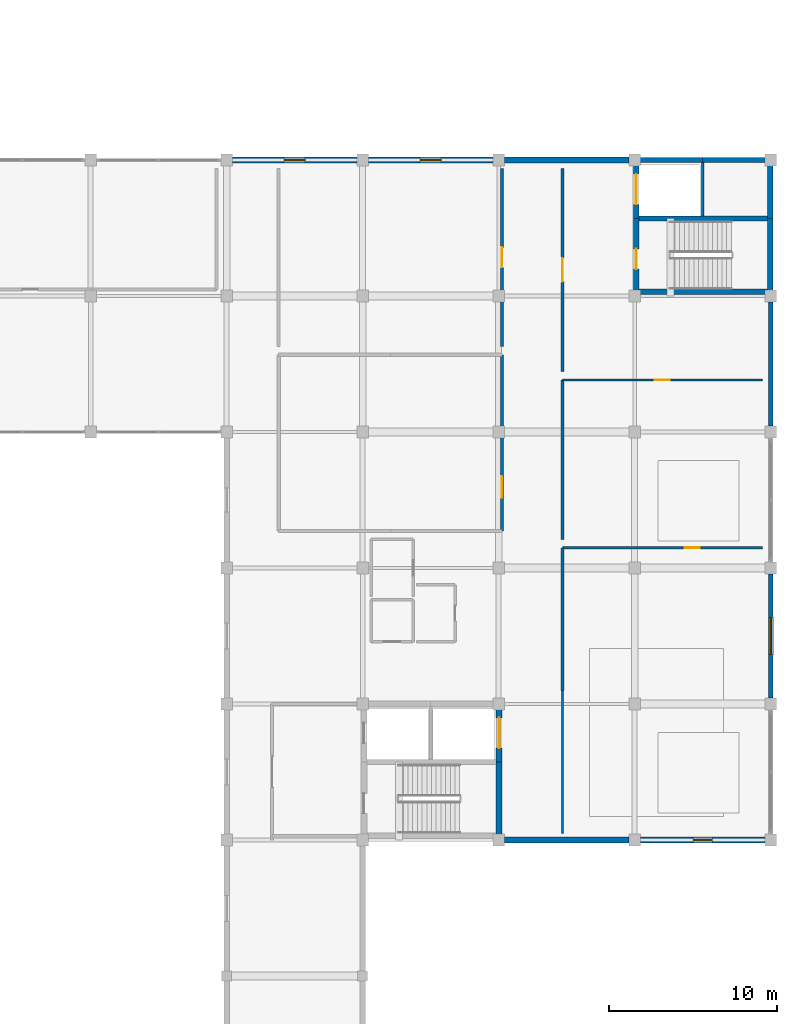
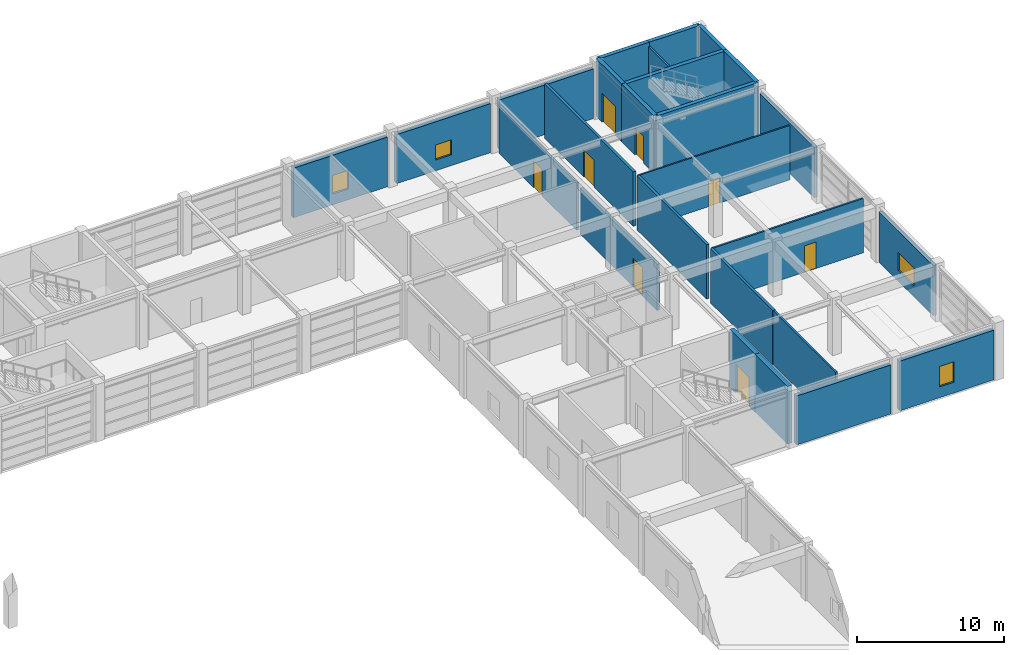
# One storey, part 47 of 58: 26 walls, 8 doors, 4 windows, 12 openings.
"""IFC4 building model written with IfcOpenShell, lengths in metres."""

from ifc_helpers import new_model, si_unit, direction, frame, frame_2d, origin, place, context, subcontext, project, spatial, rectangle, extrude, material, layer, layer_set, type_object, element, fill, save


model = new_model("IFC4")

# Units and contexts
model_context = context("Model", 3, precision=1e-05, world=origin(), true_north=direction((0.0, 1.0)))
body_context = subcontext(model_context, "Body", "Model", "MODEL_VIEW")
ifc_project = project(units=[si_unit("LENGTHUNIT", "METRE"), si_unit("AREAUNIT", "SQUARE_METRE"), si_unit("VOLUMEUNIT", "CUBIC_METRE"), si_unit("PLANEANGLEUNIT", "RADIAN"), si_unit("MASSUNIT", "GRAM", prefix="KILO")], contexts=[model_context])

# Site, building, storey
site_placement = place(None, origin())
site = spatial("IfcSite", under=ifc_project, at=site_placement, CompositionType="ELEMENT")
building_placement = place(site_placement, origin())
building = spatial("IfcBuilding", under=site, at=building_placement, Name="Parian Resonance Hall", CompositionType="ELEMENT")
storey_placement = place(building_placement, frame((0.0, 0.0, 10.199951171875)))
storey = spatial("IfcBuildingStorey", under=building, at=storey_placement, Name="L02", CompositionType="ELEMENT", Elevation=10.199951171875)

# Wall, opening, door
ifc_material_1 = material(Name="Concrete C40/50", Category="concrete")
ifc_layer_1 = layer(ifc_material_1, 0.31005859375)
ifc_layer_set_1 = layer_set([ifc_layer_1], Name="Concrete C40/50")
wall_type_1 = type_object("IfcWallType", Name="CW310", PredefinedType="SHEAR", material=ifc_layer_set_1)
wall_1_placement = place(storey_placement, frame((137.7900390625, 81.25, 0.0), z_axis=(0.0, 0.0, 1.0), x_axis=(0.0, 1.0, 0.0)))
wall_1 = element("IfcWall", 1, at=wall_1_placement, inside=storey, type_object=wall_type_1, Name="Core K6 stairwell west shear wall L02", PredefinedType="SHEAR", context=body_context, shape_type="SweptSolid", body=[
    extrude(rectangle(XDim=4.360107421875, YDim=0.31005859375, at=frame_2d((2.18017578125, 0.0))), origin(), (0.0, 0.0, 1.0), 4.800048828125),
])
opening_1_placement = place(wall_1_placement, frame((1.35009765625, 0.0, 0.0)))
opening_1 = element("IfcOpeningElement", 2, at=opening_1_placement, cuts=wall_1, Name="Opening FD-01", PredefinedType="OPENING", context=body_context, shape_type="SweptSolid", body=[
    extrude(rectangle(XDim=1.199951171875, YDim=2.25, at=frame_2d((0.60009765625, 1.125))), frame((0.0, 0.1650390625, 0.0), z_axis=(0.0, -1.0, 0.0), x_axis=(1.0, 0.0, 0.0)), (0.0, 0.0, 1.0), 0.330078125),
])
ifc_material_2 = material(Name="Fire-rated acoustic steel and narra timber door", Category="steel")
door_type_1 = type_object("IfcDoorType", Name="FD-01", OperationType="NOTDEFINED", PredefinedType="DOOR", material=ifc_material_2)
door_1_placement = place(opening_1_placement, origin())
door_1 = element("IfcDoor", 3, at=door_1_placement, inside=storey, type_object=door_type_1, Name="Exit stair ST-06 fire door L02", OperationType="SINGLE_SWING_RIGHT", OverallHeight=2.25, OverallWidth=1.199951171875, PredefinedType="DOOR", context=body_context, shape_type="SweptSolid", body=[
    extrude(rectangle(XDim=1.199951171875, YDim=2.25, at=frame_2d((0.60009765625, 1.125))), frame((0.0, 0.02490234375, 0.0), z_axis=(0.0, -1.0, 0.0), x_axis=(1.0, 0.0, 0.0)), (0.0, 0.0, 1.0), 0.050048828125),
])
fill(opening_1, door_1)

wall_2_placement = place(storey_placement, frame((137.7900390625, 85.610107421875, 0.0), z_axis=(0.0, 0.0, 1.0), x_axis=(0.0, 1.0, 0.0)))
wall_2 = element("IfcWall", 4, at=wall_2_placement, inside=storey, type_object=wall_type_1, Name="Core K6 lift shaft west shear wall L02", PredefinedType="SHEAR", context=body_context, shape_type="SweptSolid", body=[
    extrude(rectangle(XDim=3.489990234375, YDim=0.31005859375, at=frame_2d((1.7451171875, 0.0))), origin(), (0.0, 0.0, 1.0), 4.800048828125),
])
opening_2_placement = place(wall_2_placement, frame((0.844970703125, 0.0, 0.0)))
opening_2 = element("IfcOpeningElement", 5, at=opening_2_placement, cuts=wall_2, Name="Opening LD-02", PredefinedType="OPENING", context=body_context, shape_type="SweptSolid", body=[
    extrude(rectangle(XDim=1.800048828125, YDim=2.39990234375, at=frame_2d((0.89990234375, 1.199951171875))), frame((0.0, 0.1650390625, 0.0), z_axis=(0.0, -1.0, 0.0), x_axis=(1.0, 0.0, 0.0)), (0.0, 0.0, 1.0), 0.330078125),
])
ifc_material_3 = material(Name="Stainless steel and bronze elevator cab", Category="steel")
door_type_2 = type_object("IfcDoorType", Name="DOOR-LIFT-1800x2400", OperationType="SLIDING_TO_LEFT", PredefinedType="DOOR", material=ifc_material_3)
door_2_placement = place(opening_2_placement, origin())
door_2 = element("IfcDoor", 6, at=door_2_placement, inside=storey, type_object=door_type_2, Name="Lift LF-08 sliding landing door L02", OperationType="SLIDING_TO_LEFT", OverallHeight=2.39990234375, OverallWidth=1.800048828125, PredefinedType="DOOR", context=body_context, shape_type="SweptSolid", body=[
    extrude(rectangle(XDim=1.800048828125, YDim=2.39990234375, at=frame_2d((0.89990234375, 1.199951171875))), frame((0.0, 0.02490234375, 0.0), z_axis=(0.0, -1.0, 0.0), x_axis=(1.0, 0.0, 0.0)), (0.0, 0.0, 1.0), 0.050048828125),
])
fill(opening_2, door_2)

# Walls
wall_3_placement = place(storey_placement, frame((137.7900390625, 89.10009765625, 0.0), z_axis=(0.0, 0.0, 1.0), x_axis=(1.0, 0.0, 0.0)))
element("IfcWall", 7, at=wall_3_placement, inside=storey, type_object=wall_type_1, Name="Core K6 north-west shaft wall L02", PredefinedType="SHEAR", context=body_context, shape_type="SweptSolid", body=[
    extrude(rectangle(XDim=3.9599609375, YDim=0.31005859375, at=frame_2d((1.97998046875, 0.0))), origin(), (0.0, 0.0, 1.0), 4.800048828125),
])
wall_4_placement = place(storey_placement, frame((141.75, 89.10009765625, 0.0), z_axis=(0.0, 0.0, 1.0), x_axis=(1.0, 0.0, 0.0)))
element("IfcWall", 8, at=wall_4_placement, inside=storey, type_object=wall_type_1, Name="Core K6 north-east shaft wall L02", PredefinedType="SHEAR", context=body_context, shape_type="SweptSolid", body=[
    extrude(rectangle(XDim=4.02001953125, YDim=0.31005859375, at=frame_2d((2.010009765625, 0.0))), origin(), (0.0, 0.0, 1.0), 4.800048828125),
])
wall_5_placement = place(storey_placement, frame((145.77001953125, 89.10009765625, 0.0), z_axis=(0.0, 0.0, 1.0), x_axis=(0.0, -1.0, 0.0)))
element("IfcWall", 9, at=wall_5_placement, inside=storey, type_object=wall_type_1, Name="Core K6 east shaft wall L02", PredefinedType="SHEAR", context=body_context, shape_type="SweptSolid", body=[
    extrude(rectangle(XDim=3.489990234375, YDim=0.31005859375, at=frame_2d((1.7451171875, 0.0))), origin(), (0.0, 0.0, 1.0), 4.800048828125),
])
wall_6_placement = place(storey_placement, frame((145.77001953125, 85.610107421875, 0.0), z_axis=(0.0, 0.0, 1.0), x_axis=(0.0, -1.0, 0.0)))
element("IfcWall", 10, at=wall_6_placement, inside=storey, type_object=wall_type_1, Name="Core K6 stairwell east wall L02", PredefinedType="SHEAR", context=body_context, shape_type="SweptSolid", body=[
    extrude(rectangle(XDim=4.360107421875, YDim=0.31005859375, at=frame_2d((2.18017578125, 0.0))), origin(), (0.0, 0.0, 1.0), 4.800048828125),
])
for number, where, z_axis, x_axis, name in (
    (11, (145.77001953125, 81.25, 0.0), (0.0, 0.0, 1.0), (-1.0, 0.0, 0.0), "Core K6 stairwell south wall L02"),
    (12, (137.7900390625, 85.610107421875, 0.0), (0.0, 0.0, 1.0), (1.0, 0.0, 0.0), "Core K6 stair-lift divider wall L02"),
):
    element("IfcWall", number, at=place(storey_placement, frame(where, z_axis=z_axis, x_axis=x_axis)), inside=storey, type_object=wall_type_1, Name=name, PredefinedType="SHEAR", context=body_context, shape_type="SweptSolid", body=[
        extrude(rectangle(XDim=7.97998046875, YDim=0.31005859375, at=frame_2d((3.989990234375, 0.0))), origin(), (0.0, 0.0, 1.0), 4.800048828125),
    ])

# Wall, opening, door
ifc_material_4 = material(Name="Concrete C40/50", Category="concrete")
ifc_layer_2 = layer(ifc_material_4, 0.35009765625)
ifc_layer_set_2 = layer_set([ifc_layer_2], Name="Concrete C40/50")
wall_type_2 = type_object("IfcWallType", Name="CW350", PredefinedType="SHEAR", material=ifc_layer_set_2)
wall_7_placement = place(storey_placement, frame((129.6298828125, 56.699951171875, 0.0), z_axis=(0.0, 0.0, 1.0), x_axis=(0.0, -1.0, 0.0)))
wall_7 = element("IfcWall", 13, at=wall_7_placement, inside=storey, type_object=wall_type_2, Name="Core K2 east shaft wall L02", PredefinedType="SHEAR", context=body_context, shape_type="SweptSolid", body=[
    extrude(rectangle(XDim=3.449951171875, YDim=0.35009765625, at=frame_2d((1.72509765625, 0.0))), origin(), (0.0, 0.0, 1.0), 4.800048828125),
])
opening_3_placement = place(wall_7_placement, frame((0.824951171875, 0.0, 0.0)))
opening_3 = element("IfcOpeningElement", 14, at=opening_3_placement, cuts=wall_7, Name="Opening LD-02", PredefinedType="OPENING", context=body_context, shape_type="SweptSolid", body=[
    extrude(rectangle(XDim=1.800048828125, YDim=2.39990234375, at=frame_2d((0.89990234375, 1.199951171875))), frame((0.0, 0.18505859375, 0.0), z_axis=(0.0, -1.0, 0.0), x_axis=(1.0, 0.0, 0.0)), (0.0, 0.0, 1.0), 0.3701171875),
])
door_3_placement = place(opening_3_placement, origin())
door_3 = element("IfcDoor", 15, at=door_3_placement, inside=storey, type_object=door_type_2, Name="Lift LF-07 sliding landing door L02", OperationType="SLIDING_TO_LEFT", OverallHeight=2.39990234375, OverallWidth=1.800048828125, PredefinedType="DOOR", context=body_context, shape_type="SweptSolid", body=[
    extrude(rectangle(XDim=1.800048828125, YDim=2.39990234375, at=frame_2d((0.89990234375, 1.199951171875))), frame((0.0, 0.02490234375, 0.0), z_axis=(0.0, -1.0, 0.0), x_axis=(1.0, 0.0, 0.0)), (0.0, 0.0, 1.0), 0.050048828125),
])
fill(opening_3, door_3)

# Walls
wall_8_placement = place(storey_placement, frame((129.6298828125, 53.25, 0.0), z_axis=(0.0, 0.0, 1.0), x_axis=(0.0, -1.0, 0.0)))
element("IfcWall", 16, at=wall_8_placement, inside=storey, type_object=wall_type_2, Name="Core K2 stairwell east wall L02", PredefinedType="SHEAR", context=body_context, shape_type="SweptSolid", body=[
    extrude(rectangle(XDim=4.419921875, YDim=0.35009765625, at=frame_2d((2.2099609375, 0.0))), origin(), (0.0, 0.0, 1.0), 4.800048828125),
])
ifc_material_5 = material(Name="Concrete C35/45 with Carcar coral-limestone ashlar", Category="masonry")
ifc_layer_3 = layer(ifc_material_5, 0.340087890625)
ifc_layer_set_3 = layer_set([ifc_layer_3], Name="Concrete C35/45 with Carcar coral-limestone ashlar")
wall_type_3 = type_object("IfcWallType", Name="EW-STONE-340", PredefinedType="SOLIDWALL", material=ifc_layer_set_3)
wall_9_placement = place(storey_placement, frame((129.949951171875, 48.60009765625, 0.0), z_axis=(0.0, 0.0, 1.0), x_axis=(1.0, 0.0, 0.0)))
element("IfcWall", 17, at=wall_9_placement, inside=storey, type_object=wall_type_3, Name="Perimeter closure wall L02", PredefinedType="SOLIDWALL", context=body_context, shape_type="SweptSolid", body=[
    extrude(rectangle(XDim=7.400146484375, YDim=0.340087890625, at=frame_2d((3.7001953125, 0.0))), origin(), (0.0, 0.0, 1.0), 4.074951171875),
])

# Wall, opening, window
wall_10_placement = place(storey_placement, frame((138.050048828125, 48.60009765625, 0.0), z_axis=(0.0, 0.0, 1.0), x_axis=(1.0, 0.0, 0.0)))
wall_10 = element("IfcWall", 18, at=wall_10_placement, inside=storey, type_object=wall_type_3, Name="Perimeter closure wall L02", PredefinedType="SOLIDWALL", context=body_context, shape_type="SweptSolid", body=[
    extrude(rectangle(XDim=7.39990234375, YDim=0.340087890625, at=frame_2d((3.699951171875, 0.0))), origin(), (0.0, 0.0, 1.0), 4.126953125),
])
opening_4_placement = place(wall_10_placement, frame((3.125, 0.0, 0.89990234375)))
opening_4 = element("IfcOpeningElement", 19, at=opening_4_placement, cuts=wall_10, Name="Opening WN-11", PredefinedType="OPENING", context=body_context, shape_type="SweptSolid", body=[
    extrude(rectangle(XDim=1.14990234375, YDim=1.699951171875, at=frame_2d((0.574951171875, 0.85009765625))), frame((0.0, 0.179931640625, 0.0), z_axis=(0.0, -1.0, 0.0), x_axis=(1.0, 0.0, 0.0)), (0.0, 0.0, 1.0), 0.360107421875),
])
ifc_material_6 = material(Name="Acoustic laminated double glazing", Category="glass")
window_type_1 = type_object("IfcWindowType", Name="WIN-1150x1700", PartitioningType="SINGLE_PANEL", PredefinedType="WINDOW", material=ifc_material_6)
window_1_placement = place(opening_4_placement, origin())
window_1 = element("IfcWindow", 20, at=window_1_placement, inside=storey, type_object=window_type_1, Name="Acoustic window L02-0090", OverallHeight=1.699951171875, OverallWidth=1.14990234375, PartitioningType="SINGLE_PANEL", PredefinedType="WINDOW", context=body_context, shape_type="SweptSolid", body=[
    extrude(rectangle(XDim=1.14990234375, YDim=1.699951171875, at=frame_2d((0.574951171875, 0.85009765625))), frame((0.0, 0.030029296875, 0.0), z_axis=(0.0, -1.0, 0.0), x_axis=(1.0, 0.0, 0.0)), (0.0, 0.0, 1.0), 0.06005859375),
])
fill(opening_4, window_1)

# Wall
wall_11_placement = place(storey_placement, frame((137.35009765625, 89.10009765625, 0.0), z_axis=(0.0, 0.0, 1.0), x_axis=(-1.0, 0.0, 0.0)))
element("IfcWall", 21, at=wall_11_placement, inside=storey, type_object=wall_type_3, Name="Perimeter closure wall L02", PredefinedType="SOLIDWALL", context=body_context, shape_type="SweptSolid", body=[
    extrude(rectangle(XDim=7.400146484375, YDim=0.340087890625, at=frame_2d((3.7001953125, 0.0))), origin(), (0.0, 0.0, 1.0), 4.126953125),
])

# Wall, opening, window
wall_12_placement = place(storey_placement, frame((129.25, 89.10009765625, 0.0), z_axis=(0.0, 0.0, 1.0), x_axis=(-1.0, 0.0, 0.0)))
wall_12 = element("IfcWall", 22, at=wall_12_placement, inside=storey, type_object=wall_type_3, Name="Perimeter closure wall L02", PredefinedType="SOLIDWALL", context=body_context, shape_type="SweptSolid", body=[
    extrude(rectangle(XDim=7.39990234375, YDim=0.340087890625, at=frame_2d((3.699951171875, 0.0))), origin(), (0.0, 0.0, 1.0), 4.074951171875),
])
opening_5_placement = place(wall_12_placement, frame((3.074951171875, 0.0, 0.89990234375)))
opening_5 = element("IfcOpeningElement", 23, at=opening_5_placement, cuts=wall_12, Name="Opening WN-13", PredefinedType="OPENING", context=body_context, shape_type="SweptSolid", body=[
    extrude(rectangle(XDim=1.25, YDim=1.25, at=frame_2d((0.625, 0.625))), frame((0.0, 0.179931640625, 0.0), z_axis=(0.0, -1.0, 0.0), x_axis=(1.0, 0.0, 0.0)), (0.0, 0.0, 1.0), 0.360107421875),
])
ifc_material_7 = material(Name="Acoustic laminated double glazing", Category="glass")
window_type_2 = type_object("IfcWindowType", Name="WIN-1250x1250", PartitioningType="SINGLE_PANEL", PredefinedType="WINDOW", material=ifc_material_7)
window_2_placement = place(opening_5_placement, origin())
window_2 = element("IfcWindow", 24, at=window_2_placement, inside=storey, type_object=window_type_2, Name="Acoustic window L02-0091", OverallHeight=1.25, OverallWidth=1.25, PartitioningType="SINGLE_PANEL", PredefinedType="WINDOW", context=body_context, shape_type="SweptSolid", body=[
    extrude(rectangle(XDim=1.25, YDim=1.25, at=frame_2d((0.625, 0.625))), frame((0.0, 0.030029296875, 0.0), z_axis=(0.0, -1.0, 0.0), x_axis=(1.0, 0.0, 0.0)), (0.0, 0.0, 1.0), 0.06005859375),
])
fill(opening_5, window_2)

wall_13_placement = place(storey_placement, frame((121.14990234375, 89.10009765625, 0.0), z_axis=(0.0, 0.0, 1.0), x_axis=(-1.0, 0.0, 0.0)))
wall_13 = element("IfcWall", 25, at=wall_13_placement, inside=storey, type_object=wall_type_3, Name="Perimeter closure wall L02", PredefinedType="SOLIDWALL", context=body_context, shape_type="SweptSolid", body=[
    extrude(rectangle(XDim=7.39990234375, YDim=0.340087890625, at=frame_2d((3.699951171875, 0.0))), origin(), (0.0, 0.0, 1.0), 4.126953125),
])
opening_6_placement = place(wall_13_placement, frame((3.074951171875, 0.0, 0.89990234375)))
opening_6 = element("IfcOpeningElement", 26, at=opening_6_placement, cuts=wall_13, Name="Opening WN-14", PredefinedType="OPENING", context=body_context, shape_type="SweptSolid", body=[
    extrude(rectangle(XDim=1.25, YDim=1.550048828125, at=frame_2d((0.625, 0.77490234375))), frame((0.0, 0.179931640625, 0.0), z_axis=(0.0, -1.0, 0.0), x_axis=(1.0, 0.0, 0.0)), (0.0, 0.0, 1.0), 0.360107421875),
])
ifc_material_8 = material(Name="Acoustic laminated double glazing", Category="glass")
window_type_3 = type_object("IfcWindowType", Name="WIN-1250x1550", PartitioningType="SINGLE_PANEL", PredefinedType="WINDOW", material=ifc_material_8)
window_3_placement = place(opening_6_placement, origin())
window_3 = element("IfcWindow", 27, at=window_3_placement, inside=storey, type_object=window_type_3, Name="Acoustic window L02-0092", OverallHeight=1.550048828125, OverallWidth=1.25, PartitioningType="SINGLE_PANEL", PredefinedType="WINDOW", context=body_context, shape_type="SweptSolid", body=[
    extrude(rectangle(XDim=1.25, YDim=1.550048828125, at=frame_2d((0.625, 0.77490234375))), frame((0.0, 0.030029296875, 0.0), z_axis=(0.0, -1.0, 0.0), x_axis=(1.0, 0.0, 0.0)), (0.0, 0.0, 1.0), 0.06005859375),
])
fill(opening_6, window_3)

ifc_material_9 = material(Name="Concrete C35/45 with Carcar coral-limestone ashlar", Category="masonry")
ifc_layer_4 = layer(ifc_material_9, 0.27001953125)
ifc_layer_set_4 = layer_set([ifc_layer_4], Name="Concrete C35/45 with Carcar coral-limestone ashlar")
wall_type_4 = type_object("IfcWallType", Name="EW-STUDIO-270", PredefinedType="SOLIDWALL", material=ifc_layer_set_4)
wall_14_placement = place(storey_placement, frame((145.800048828125, 64.449951171875, 0.0), z_axis=(0.0, 0.0, 1.0), x_axis=(0.0, -1.0, 0.0)))
wall_14 = element("IfcWall", 28, at=wall_14_placement, inside=storey, type_object=wall_type_4, Name="Exterior wall EW-L02-0178", PredefinedType="SOLIDWALL", context=body_context, shape_type="SweptSolid", body=[
    extrude(rectangle(XDim=7.39990234375, YDim=0.27001953125, at=frame_2d((3.699951171875, 0.0))), origin(), (0.0, 0.0, 1.0), 4.18701171875),
])
opening_7_placement = place(wall_14_placement, frame((2.60009765625, 0.0, 0.89990234375)))
opening_7 = element("IfcOpeningElement", 29, at=opening_7_placement, cuts=wall_14, Name="Opening WN-39", PredefinedType="OPENING", context=body_context, shape_type="SweptSolid", body=[
    extrude(rectangle(XDim=2.199951171875, YDim=1.5, at=frame_2d((1.10009765625, 0.75))), frame((0.0, 0.14501953125, 0.0), z_axis=(0.0, -1.0, 0.0), x_axis=(1.0, 0.0, 0.0)), (0.0, 0.0, 1.0), 0.2900390625),
])
ifc_material_10 = material(Name="Acoustic laminated double glazing", Category="glass")
window_type_4 = type_object("IfcWindowType", Name="WIN-2200x1500", PartitioningType="SINGLE_PANEL", PredefinedType="WINDOW", material=ifc_material_10)
window_4_placement = place(opening_7_placement, origin())
window_4 = element("IfcWindow", 30, at=window_4_placement, inside=storey, type_object=window_type_4, Name="Acoustic window L02-0035", OverallHeight=1.5, OverallWidth=2.199951171875, PartitioningType="SINGLE_PANEL", PredefinedType="WINDOW", context=body_context, shape_type="SweptSolid", body=[
    extrude(rectangle(XDim=2.199951171875, YDim=1.5, at=frame_2d((1.10009765625, 0.75))), frame((0.0, 0.030029296875, 0.0), z_axis=(0.0, -1.0, 0.0), x_axis=(1.0, 0.0, 0.0)), (0.0, 0.0, 1.0), 0.06005859375),
])
fill(opening_7, window_4)

# Walls
wall_15_placement = place(storey_placement, frame((145.800048828125, 80.64990234375, 0.0), z_axis=(0.0, 0.0, 1.0), x_axis=(0.0, -1.0, 0.0)))
element("IfcWall", 31, at=wall_15_placement, inside=storey, type_object=wall_type_4, Name="Exterior wall EW-L02-0179", PredefinedType="SOLIDWALL", context=body_context, shape_type="SweptSolid", body=[
    extrude(rectangle(XDim=7.39990234375, YDim=0.27001953125, at=frame_2d((3.699951171875, 0.0))), origin(), (0.0, 0.0, 1.0), 4.18701171875),
])
ifc_material_11 = material(Name="Concrete C35/45 fire barrier", Category="concrete")
ifc_layer_5 = layer(ifc_material_11, 0.199951171875)
ifc_layer_set_5 = layer_set([ifc_layer_5], Name="Concrete C35/45 fire barrier")
wall_type_5 = type_object("IfcWallType", Name="FW200", PredefinedType="PARTITIONING", material=ifc_layer_set_5)
wall_16_placement = place(storey_placement, frame((133.39990234375, 57.5, 0.0), z_axis=(0.0, 0.0, 1.0), x_axis=(0.0, 1.0, 0.0)))
element("IfcWall", 32, at=wall_16_placement, inside=storey, type_object=wall_type_5, Name="Interior acoustic partition IW-L02-0192", PredefinedType="PARTITIONING", context=body_context, shape_type="SweptSolid", body=[
    extrude(rectangle(XDim=8.5, YDim=0.199951171875, at=frame_2d((4.25, 0.0))), origin(), (0.0, 0.0, 1.0), 4.52001953125),
])
wall_17_placement = place(storey_placement, frame((133.39990234375, 66.5, 0.0), z_axis=(0.0, 0.0, 1.0), x_axis=(0.0, 1.0, 0.0)))
element("IfcWall", 33, at=wall_17_placement, inside=storey, type_object=wall_type_5, Name="Interior acoustic partition IW-L02-0194", PredefinedType="PARTITIONING", context=body_context, shape_type="SweptSolid", body=[
    extrude(rectangle(XDim=9.5, YDim=0.199951171875, at=frame_2d((4.75, 0.0))), origin(), (0.0, 0.0, 1.0), 4.52001953125),
])

# Wall, opening, door
wall_18_placement = place(storey_placement, frame((133.39990234375, 76.5, 0.0), z_axis=(0.0, 0.0, 1.0), x_axis=(0.0, 1.0, 0.0)))
wall_18 = element("IfcWall", 34, at=wall_18_placement, inside=storey, type_object=wall_type_5, Name="Interior acoustic partition IW-L02-0196", PredefinedType="PARTITIONING", context=body_context, shape_type="SweptSolid", body=[
    extrude(rectangle(XDim=12.10009765625, YDim=0.199951171875, at=frame_2d((6.050048828125, 0.0))), origin(), (0.0, 0.0, 1.0), 4.52001953125),
])
opening_8_placement = place(wall_18_placement, frame((5.35009765625, 0.0, 0.0)))
opening_8 = element("IfcOpeningElement", 35, at=opening_8_placement, cuts=wall_18, Name="Opening ID-25", PredefinedType="OPENING", context=body_context, shape_type="SweptSolid", body=[
    extrude(rectangle(XDim=1.39990234375, YDim=2.260009765625, at=frame_2d((0.699951171875, 1.1298828125))), frame((0.0, 0.10986328125, 0.0), z_axis=(0.0, -1.0, 0.0), x_axis=(1.0, 0.0, 0.0)), (0.0, 0.0, 1.0), 0.219970703125),
])
ifc_material_12 = material(Name="Fire-rated acoustic steel and narra timber door", Category="steel")
door_type_3 = type_object("IfcDoorType", Name="ID-PLT-1400x2260", OperationType="NOTDEFINED", PredefinedType="DOOR", material=ifc_material_12)
door_4_placement = place(opening_8_placement, origin())
door_4 = element("IfcDoor", 36, at=door_4_placement, inside=storey, type_object=door_type_3, Name="Vocal Isolation Booth door", OperationType="SINGLE_SWING_LEFT", OverallHeight=2.260009765625, OverallWidth=1.39990234375, PredefinedType="DOOR", context=body_context, shape_type="SweptSolid", body=[
    extrude(rectangle(XDim=1.39990234375, YDim=2.260009765625, at=frame_2d((0.699951171875, 1.1298828125))), frame((0.0, 0.02490234375, 0.0), z_axis=(0.0, -1.0, 0.0), x_axis=(1.0, 0.0, 0.0)), (0.0, 0.0, 1.0), 0.050048828125),
])
fill(opening_8, door_4)

wall_19_placement = place(storey_placement, frame((129.800048828125, 77.5, 0.0), z_axis=(0.0, 0.0, 1.0), x_axis=(0.0, -1.0, 0.0)))
wall_19 = element("IfcWall", 37, at=wall_19_placement, inside=storey, type_object=wall_type_5, Name="Interior acoustic partition IW-L02-0197", PredefinedType="PARTITIONING", context=body_context, shape_type="SweptSolid", body=[
    extrude(rectangle(XDim=10.5, YDim=0.199951171875, at=frame_2d((5.25, 0.0))), origin(), (0.0, 0.0, 1.0), 3.843994140625),
])
opening_9_placement = place(wall_19_placement, frame((7.22509765625, 0.0, 0.0)))
opening_9 = element("IfcOpeningElement", 38, at=opening_9_placement, cuts=wall_19, Name="Opening ID-26", PredefinedType="OPENING", context=body_context, shape_type="SweptSolid", body=[
    extrude(rectangle(XDim=1.300048828125, YDim=2.360107421875, at=frame_2d((0.64990234375, 1.18017578125))), frame((0.0, 0.10986328125, 0.0), z_axis=(0.0, -1.0, 0.0), x_axis=(1.0, 0.0, 0.0)), (0.0, 0.0, 1.0), 0.219970703125),
])
ifc_material_13 = material(Name="Fire-rated acoustic steel and narra timber door", Category="steel")
door_type_4 = type_object("IfcDoorType", Name="ID-ARC-1300x2360", OperationType="NOTDEFINED", PredefinedType="DOOR", material=ifc_material_13)
door_5_placement = place(opening_9_placement, origin())
door_5 = element("IfcDoor", 39, at=door_5_placement, inside=storey, type_object=door_type_4, Name="Mastering and Post-Production Suite door", OperationType="SINGLE_SWING_RIGHT", OverallHeight=2.360107421875, OverallWidth=1.300048828125, PredefinedType="DOOR", context=body_context, shape_type="SweptSolid", body=[
    extrude(rectangle(XDim=1.300048828125, YDim=2.360107421875, at=frame_2d((0.64990234375, 1.18017578125))), frame((0.0, 0.02490234375, 0.0), z_axis=(0.0, -1.0, 0.0), x_axis=(1.0, 0.0, 0.0)), (0.0, 0.0, 1.0), 0.050048828125),
])
fill(opening_9, door_5)

ifc_material_14 = material(Name="Concrete C35/45 acoustic masonry partition", Category="masonry")
ifc_layer_6 = layer(ifc_material_14, 0.1201171875)
ifc_layer_set_6 = layer_set([ifc_layer_6], Name="Concrete C35/45 acoustic masonry partition")
wall_type_6 = type_object("IfcWallType", Name="PW120", PredefinedType="PARTITIONING", material=ifc_layer_set_6)
wall_20_placement = place(storey_placement, frame((133.39990234375, 76.0, 0.0), z_axis=(0.0, 0.0, 1.0), x_axis=(1.0, 0.0, 0.0)))
wall_20 = element("IfcWall", 40, at=wall_20_placement, inside=storey, type_object=wall_type_6, Name="Interior acoustic partition IW-L02-0195", PredefinedType="PARTITIONING", context=body_context, shape_type="SweptSolid", body=[
    extrude(rectangle(XDim=11.900146484375, YDim=0.1201171875, at=frame_2d((5.9501953125, 0.0))), origin(), (0.0, 0.0, 1.0), 4.52001953125),
])
opening_10_placement = place(wall_20_placement, frame((5.5, 0.0, 0.0)))
opening_10 = element("IfcOpeningElement", 41, at=opening_10_placement, cuts=wall_20, Name="Opening ID-22", PredefinedType="OPENING", context=body_context, shape_type="SweptSolid", body=[
    extrude(rectangle(XDim=0.89990234375, YDim=2.10009765625, at=frame_2d((0.449951171875, 1.050048828125))), frame((0.0, 0.070068359375, 0.0), z_axis=(0.0, -1.0, 0.0), x_axis=(1.0, 0.0, 0.0)), (0.0, 0.0, 1.0), 0.14013671875),
])
ifc_material_15 = material(Name="Philippine narra acoustic timber door", Category="wood")
door_type_5 = type_object("IfcDoorType", Name="ID-WC-0900x2100", OperationType="NOTDEFINED", PredefinedType="DOOR", material=ifc_material_15)
door_6_placement = place(opening_10_placement, origin())
door_6 = element("IfcDoor", 42, at=door_6_placement, inside=storey, type_object=door_type_5, Name="Recording Studio Control Room door", OperationType="SINGLE_SWING_RIGHT", OverallHeight=2.10009765625, OverallWidth=0.89990234375, PredefinedType="DOOR", context=body_context, shape_type="SweptSolid", body=[
    extrude(rectangle(XDim=0.89990234375, YDim=2.10009765625, at=frame_2d((0.449951171875, 1.050048828125))), frame((0.0, 0.02490234375, 0.0), z_axis=(0.0, -1.0, 0.0), x_axis=(1.0, 0.0, 0.0)), (0.0, 0.0, 1.0), 0.050048828125),
])
fill(opening_10, door_6)

# Wall
ifc_material_16 = material(Name="Concrete C35/45 acoustic masonry partition", Category="masonry")
ifc_layer_7 = layer(ifc_material_16, 0.139892578125)
ifc_layer_set_7 = layer_set([ifc_layer_7], Name="Concrete C35/45 acoustic masonry partition")
wall_type_7 = type_object("IfcWallType", Name="PW140", PredefinedType="PARTITIONING", material=ifc_layer_set_7)
wall_21_placement = place(storey_placement, frame((133.39990234375, 49.0, 0.0), z_axis=(0.0, 0.0, 1.0), x_axis=(0.0, 1.0, 0.0)))
element("IfcWall", 43, at=wall_21_placement, inside=storey, type_object=wall_type_7, Name="Interior acoustic partition IW-L02-0191", PredefinedType="PARTITIONING", context=body_context, shape_type="SweptSolid", body=[
    extrude(rectangle(XDim=8.5, YDim=0.139892578125, at=frame_2d((4.25, 0.0))), origin(), (0.0, 0.0, 1.0), 4.52001953125),
])

# Wall, opening, door
wall_22_placement = place(storey_placement, frame((133.39990234375, 66.0, 0.0), z_axis=(0.0, 0.0, 1.0), x_axis=(1.0, 0.0, 0.0)))
wall_22 = element("IfcWall", 44, at=wall_22_placement, inside=storey, type_object=wall_type_7, Name="Interior acoustic partition IW-L02-0193", PredefinedType="PARTITIONING", context=body_context, shape_type="SweptSolid", body=[
    extrude(rectangle(XDim=11.900146484375, YDim=0.139892578125, at=frame_2d((5.9501953125, 0.0))), origin(), (0.0, 0.0, 1.0), 4.52001953125),
])
opening_11_placement = place(wall_22_placement, frame((7.284912109375, 0.0, 0.0)))
opening_11 = element("IfcOpeningElement", 45, at=opening_11_placement, cuts=wall_22, Name="Opening ID-23", PredefinedType="OPENING", context=body_context, shape_type="SweptSolid", body=[
    extrude(rectangle(XDim=0.89990234375, YDim=2.199951171875, at=frame_2d((0.449951171875, 1.10009765625))), frame((0.0, 0.079833984375, 0.0), z_axis=(0.0, -1.0, 0.0), x_axis=(1.0, 0.0, 0.0)), (0.0, 0.0, 1.0), 0.159912109375),
])
ifc_material_17 = material(Name="Philippine narra acoustic timber door", Category="wood")
door_type_6 = type_object("IfcDoorType", Name="ID-WC-0900x2200", OperationType="NOTDEFINED", PredefinedType="DOOR", material=ifc_material_17)
door_7_placement = place(opening_11_placement, origin())
door_7 = element("IfcDoor", 46, at=door_7_placement, inside=storey, type_object=door_type_6, Name="Recording Studio Live Room door", OperationType="SINGLE_SWING_LEFT", OverallHeight=2.199951171875, OverallWidth=0.89990234375, PredefinedType="DOOR", context=body_context, shape_type="SweptSolid", body=[
    extrude(rectangle(XDim=0.89990234375, YDim=2.199951171875, at=frame_2d((0.449951171875, 1.10009765625))), frame((0.0, 0.02490234375, 0.0), z_axis=(0.0, -1.0, 0.0), x_axis=(1.0, 0.0, 0.0)), (0.0, 0.0, 1.0), 0.050048828125),
])
fill(opening_11, door_7)

# Wall
ifc_material_18 = material(Name="Concrete C35/45 acoustic plumbing chase wall", Category="concrete")
ifc_layer_8 = layer(ifc_material_18, 0.14990234375)
ifc_layer_set_8 = layer_set([ifc_layer_8], Name="Concrete C35/45 acoustic plumbing chase wall")
wall_type_8 = type_object("IfcWallType", Name="PW150", PredefinedType="PLUMBINGWALL", material=ifc_layer_set_8)
wall_23_placement = place(storey_placement, frame((141.75, 85.77001953125, 0.0), z_axis=(0.0, 0.0, 1.0), x_axis=(0.0, 1.0, 0.0)))
element("IfcWall", 47, at=wall_23_placement, inside=storey, type_object=wall_type_8, Name="Core K6 shaft plumbing/riser divider L02", PredefinedType="PLUMBINGWALL", context=body_context, shape_type="SweptSolid", body=[
    extrude(rectangle(XDim=3.169921875, YDim=0.14990234375, at=frame_2d((1.5849609375, 0.0))), origin(), (0.0, 0.0, 1.0), 4.449951171875),
])

# Wall, opening, door
ifc_material_19 = material(Name="Concrete C35/45 acoustic masonry partition", Category="masonry")
ifc_layer_9 = layer(ifc_material_19, 0.179931640625)
ifc_layer_set_9 = layer_set([ifc_layer_9], Name="Concrete C35/45 acoustic masonry partition")
wall_type_9 = type_object("IfcWallType", Name="PW180", PredefinedType="PARTITIONING", material=ifc_layer_set_9)
wall_24_placement = place(storey_placement, frame((129.800048828125, 88.60009765625, 0.0), z_axis=(0.0, 0.0, 1.0), x_axis=(0.0, -1.0, 0.0)))
wall_24 = element("IfcWall", 48, at=wall_24_placement, inside=storey, type_object=wall_type_9, Name="Interior acoustic partition IW-L02-0203", PredefinedType="PARTITIONING", context=body_context, shape_type="SweptSolid", body=[
    extrude(rectangle(XDim=10.60009765625, YDim=0.179931640625, at=frame_2d((5.300048828125, 0.0))), origin(), (0.0, 0.0, 1.0), 3.944091796875),
])
opening_12_placement = place(wall_24_placement, frame((4.699951171875, 0.0, 0.0)))
opening_12 = element("IfcOpeningElement", 49, at=opening_12_placement, cuts=wall_24, Name="Opening FD-01", PredefinedType="OPENING", context=body_context, shape_type="SweptSolid", body=[
    extrude(rectangle(XDim=1.199951171875, YDim=2.25, at=frame_2d((0.60009765625, 1.125))), frame((0.0, 0.099853515625, 0.0), z_axis=(0.0, -1.0, 0.0), x_axis=(1.0, 0.0, 0.0)), (0.0, 0.0, 1.0), 0.199951171875),
])
door_8_placement = place(opening_12_placement, origin())
door_8 = element("IfcDoor", 50, at=door_8_placement, inside=storey, type_object=door_type_1, Name="Choral Section Dressing Room E door", OperationType="SINGLE_SWING_LEFT", OverallHeight=2.25, OverallWidth=1.199951171875, PredefinedType="DOOR", context=body_context, shape_type="SweptSolid", body=[
    extrude(rectangle(XDim=1.199951171875, YDim=2.25, at=frame_2d((0.60009765625, 1.125))), frame((0.0, 0.02490234375, 0.0), z_axis=(0.0, -1.0, 0.0), x_axis=(1.0, 0.0, 0.0)), (0.0, 0.0, 1.0), 0.050048828125),
])
fill(opening_12, door_8)

save(model, "model.ifc")
